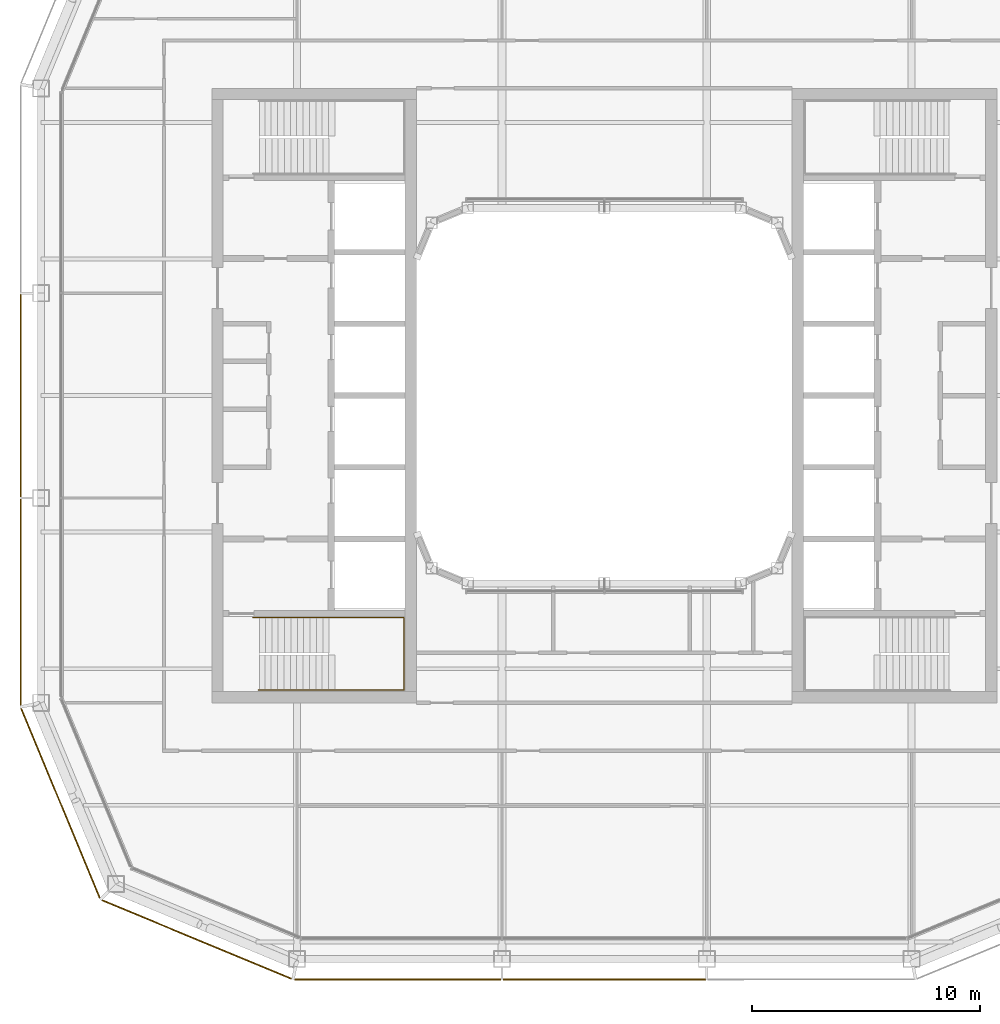
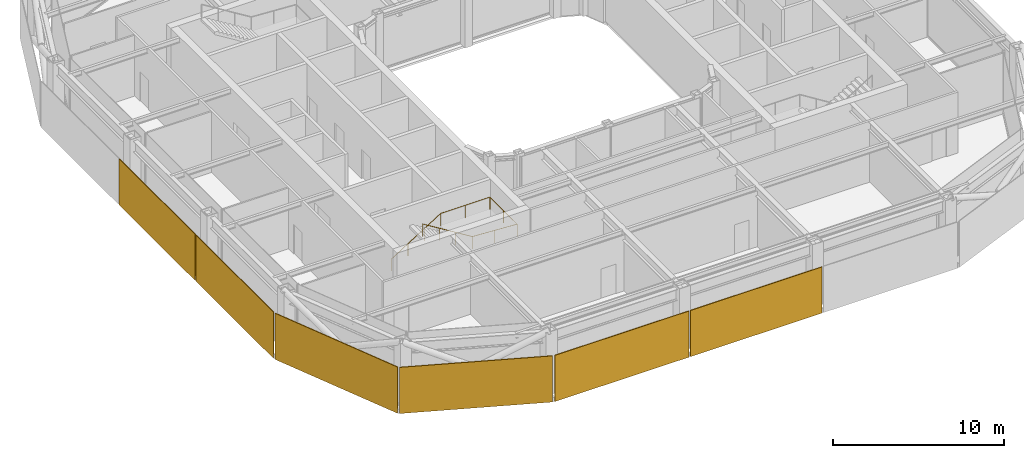
# One storey, part 16 of 20: 6 coverings, 1 railing.
"""IFC4 building model written with IfcOpenShell, lengths in metres."""

from ifc_helpers import new_model, si_unit, direction, frame, origin, origin_2d, place, context, subcontext, project, spatial, rectangle, circle, extrude, material, layer, layer_set, type_object, element, save


model = new_model("IFC4")

# Units and contexts
model_context = context("Model", 3, precision=1e-05, world=origin(), true_north=direction((0.0, 1.0)))
body_context = subcontext(model_context, "Body", "Model", "MODEL_VIEW")
ifc_project = project(units=[si_unit("LENGTHUNIT", "METRE"), si_unit("AREAUNIT", "SQUARE_METRE"), si_unit("VOLUMEUNIT", "CUBIC_METRE"), si_unit("PLANEANGLEUNIT", "RADIAN"), si_unit("MASSUNIT", "GRAM", prefix="KILO")], contexts=[model_context])

# Site, building, storey
site_placement = place(None, origin())
site = spatial("IfcSite", under=ifc_project, at=site_placement, CompositionType="ELEMENT")
building_placement = place(site_placement, origin())
building = spatial("IfcBuilding", under=site, at=building_placement, Name="Siwar Civic Tower", CompositionType="ELEMENT")
storey_placement = place(building_placement, frame((0.0, 0.0, 307.699951171875)))
storey = spatial("IfcBuildingStorey", under=building, at=storey_placement, Name="L66", CompositionType="ELEMENT", Elevation=307.699951171875)

# Railing
ifc_material_1 = material(Name="Stainless steel", Category="steel")
railing_type = type_object("IfcRailingType", Name="CORE-STAIR-HANDRAIL", PredefinedType="HANDRAIL", material=ifc_material_1)
railing_placement = place(storey_placement, frame((-15.449951171875, -9.758056640625, 0.173095703125)))
element("IfcRailing", 1, at=railing_placement, inside=storey, type_object=railing_type, Name="Stair handrail ST2", PredefinedType="HANDRAIL", context=body_context, shape_type="SweptSolid", body=[
    extrude(circle(Radius=0.02001953125, at=origin_2d()), frame((0.0, 0.0, 0.8798828125), z_axis=(0.847063342986, 0.0, 0.531491950051), x_axis=(0.0, 1.0, 0.0)), (0.0, 0.0, 1.0), 3.90771484375),
    extrude(circle(Radius=0.02001953125, at=origin_2d()), frame((3.31005859375, 0.0, 2.956787109375), z_axis=(1.0, 0.0, 0.0), x_axis=(0.0, 1.0, 0.0)), (0.0, 0.0, 1.0), 3.331787109375),
    extrude(circle(Radius=0.02001953125, at=origin_2d()), frame((6.641845703125, 0.0, 2.956787109375), z_axis=(0.0, -1.0, 0.0), x_axis=(1.0, 0.0, 0.0)), (0.0, 0.0, 1.0), 3.183837890625),
    extrude(circle(Radius=0.02001953125, at=origin_2d()), frame((6.641845703125, -3.183837890625, 2.956787109375), z_axis=(-0.99837434197, 0.0, 0.056997134106), x_axis=(0.0, -1.0, 0.0)), (0.0, 0.0, 1.0), 3.036865234375),
    extrude(circle(Radius=0.02001953125, at=origin_2d()), frame((3.60986328125, -3.183837890625, 3.1298828125), z_axis=(-0.850606129759, 0.0, 0.525803396734), x_axis=(0.0, -1.0, 0.0)), (0.0, 0.0, 1.0), 3.949951171875),
    extrude(circle(Radius=0.02001953125, at=origin_2d()), origin(), (0.0, 0.0, 1.0), 0.85986328125),
    extrude(circle(Radius=0.02001953125, at=origin_2d()), frame((1.103271484375, 0.0, 0.6923828125)), (0.0, 0.0, 1.0), 0.85986328125),
    extrude(circle(Radius=0.02001953125, at=origin_2d()), frame((2.206787109375, 0.0, 1.384521484375)), (0.0, 0.0, 1.0), 0.85986328125),
    extrude(circle(Radius=0.02001953125, at=origin_2d()), frame((3.31005859375, 0.0, 2.076904296875)), (0.0, 0.0, 1.0), 0.85986328125),
    extrude(circle(Radius=0.02001953125, at=origin_2d()), frame((4.97607421875, 0.0, 2.076904296875)), (0.0, 0.0, 1.0), 0.85986328125),
    extrude(circle(Radius=0.02001953125, at=origin_2d()), frame((6.641845703125, 0.0, 2.076904296875)), (0.0, 0.0, 1.0), 0.85986328125),
    extrude(circle(Radius=0.02001953125, at=origin_2d()), frame((6.641845703125, -1.591796875, 2.076904296875)), (0.0, 0.0, 1.0), 0.85986328125),
    extrude(circle(Radius=0.02001953125, at=origin_2d()), frame((6.641845703125, -3.183837890625, 2.076904296875)), (0.0, 0.0, 1.0), 0.85986328125),
    extrude(circle(Radius=0.02001953125, at=origin_2d()), frame((5.1259765625, -3.183837890625, 2.16357421875)), (0.0, 0.0, 1.0), 0.85986328125),
    extrude(circle(Radius=0.02001953125, at=origin_2d()), frame((3.60986328125, -3.183837890625, 2.25)), (0.0, 0.0, 1.0), 0.85986328125),
    extrude(circle(Radius=0.02001953125, at=origin_2d()), frame((2.489990234375, -3.183837890625, 2.9423828125)), (0.0, 0.0, 1.0), 0.85986328125),
    extrude(circle(Radius=0.02001953125, at=origin_2d()), frame((1.369873046875, -3.183837890625, 3.634521484375)), (0.0, 0.0, 1.0), 0.85986328125),
    extrude(circle(Radius=0.02001953125, at=origin_2d()), frame((0.25, -3.183837890625, 4.326904296875)), (0.0, 0.0, 1.0), 0.85986328125),
])

# Coverings
ifc_material_2 = material(Name="Perforated aluminium cassette, pale metal", Category="aluminium")
ifc_layer_1 = layer(ifc_material_2, 0.050048828125)
ifc_layer_set_1 = layer_set([ifc_layer_1], Name="Perforated aluminium cassette, pale metal")
covering_type_1 = type_object("IfcCoveringType", Name="ENV-OUTER SKIN OS-3", PredefinedType="CLADDING", material=ifc_layer_set_1)
covering_1_placement = place(storey_placement, frame((-25.64990234375, 0.0, -0.14990234375), z_axis=(0.0, 0.0, 1.0), x_axis=(0.0, -1.0, 0.0)))
element("IfcCovering", 2, at=covering_1_placement, inside=storey, type_object=covering_type_1, Name="OUTER SKIN OS-3 W 2", PredefinedType="CLADDING", context=body_context, shape_type="SweptSolid", body=[
    extrude(rectangle(XDim=8.89990234375, YDim=0.050048828125, at=origin_2d()), origin(), (0.0, 0.0, 1.0), 3.300048828125),
])
covering_2_placement = place(storey_placement, frame((-25.64990234375, -9.07958984375, -0.14990234375), z_axis=(0.0, 0.0, 1.0), x_axis=(0.0, -1.0, 0.0)))
element("IfcCovering", 3, at=covering_2_placement, inside=storey, type_object=covering_type_1, Name="OUTER SKIN OS-3 W 3", PredefinedType="CLADDING", context=body_context, shape_type="SweptSolid", body=[
    extrude(rectangle(XDim=9.05908203125, YDim=0.050048828125, at=origin_2d()), origin(), (0.0, 0.0, 1.0), 3.300048828125),
])
ifc_material_3 = material(Name="Perforated aluminium cassette, pale metal", Category="aluminium")
ifc_layer_2 = layer(ifc_material_3, 0.054931640625)
ifc_layer_set_2 = layer_set([ifc_layer_2], Name="Perforated aluminium cassette, pale metal")
covering_type_2 = type_object("IfcCoveringType", Name="ENV-OUTER SKIN OS-4", PredefinedType="CLADDING", material=ifc_layer_set_2)
covering_3_placement = place(storey_placement, frame((-9.07958984375, -25.64990234375, -0.14990234375), z_axis=(0.0, 0.0, 1.0), x_axis=(1.0, 0.0, 0.0)))
element("IfcCovering", 4, at=covering_3_placement, inside=storey, type_object=covering_type_2, Name="OUTER SKIN OS-4 S 1", PredefinedType="CLADDING", context=body_context, shape_type="SweptSolid", body=[
    extrude(rectangle(XDim=9.05908203125, YDim=0.054931640625, at=origin_2d()), origin(), (0.0, 0.0, 1.0), 3.300048828125),
])
covering_4_placement = place(storey_placement, frame((0.0, -25.64990234375, -0.14990234375), z_axis=(0.0, 0.0, 1.0), x_axis=(1.0, 0.0, 0.0)))
element("IfcCovering", 5, at=covering_4_placement, inside=storey, type_object=covering_type_2, Name="OUTER SKIN OS-4 S 2", PredefinedType="CLADDING", context=body_context, shape_type="SweptSolid", body=[
    extrude(rectangle(XDim=8.89990234375, YDim=0.054931640625, at=origin_2d()), origin(), (0.0, 0.0, 1.0), 3.300048828125),
])
for number, where, z_axis, x_axis, name in (
    (6, (-23.89697265625, -17.911376953125, -0.14990234375), (0.0, 0.0, 1.0), (0.382683432365, -0.923879532511, 0.0), "OUTER SKIN OS-4 SW1 1"),
    (7, (-17.911376953125, -23.89697265625, -0.14990234375), (0.0, 0.0, 1.0), (0.923879532511, -0.382683432365, 0.0), "OUTER SKIN OS-4 SW2 1"),
):
    element("IfcCovering", number, at=place(storey_placement, frame(where, z_axis=z_axis, x_axis=x_axis)), inside=storey, type_object=covering_type_2, Name=name, PredefinedType="CLADDING", context=body_context, shape_type="SweptSolid", body=[
        extrude(rectangle(XDim=9.022216796875, YDim=0.054931640625, at=origin_2d()), origin(), (0.0, 0.0, 1.0), 3.300048828125),
    ])

save(model, "model.ifc")
